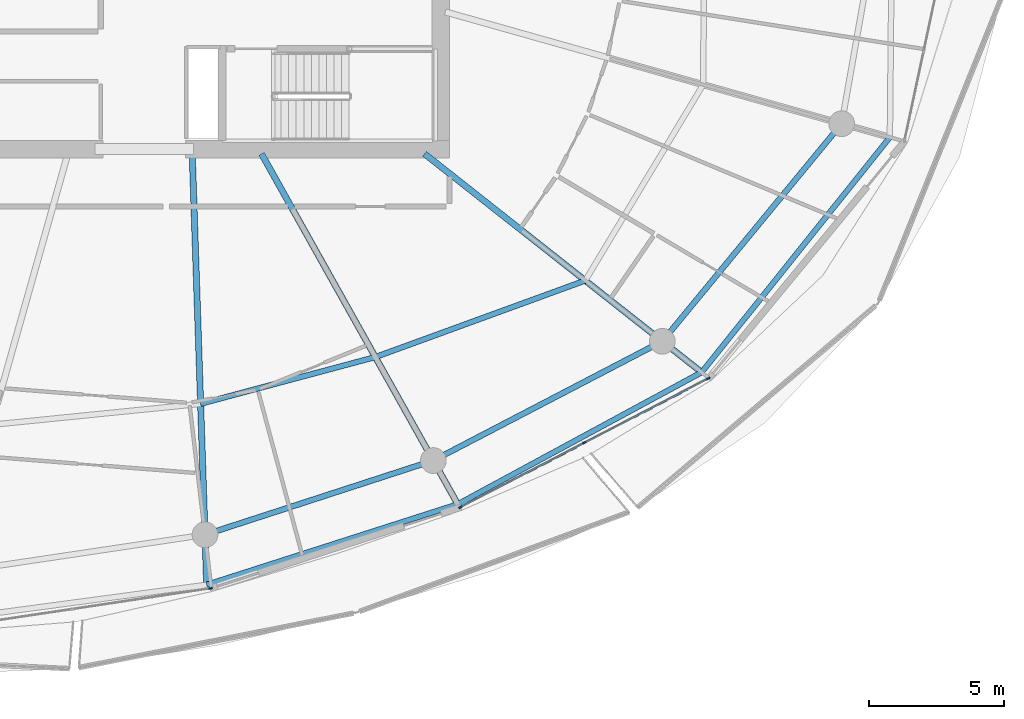
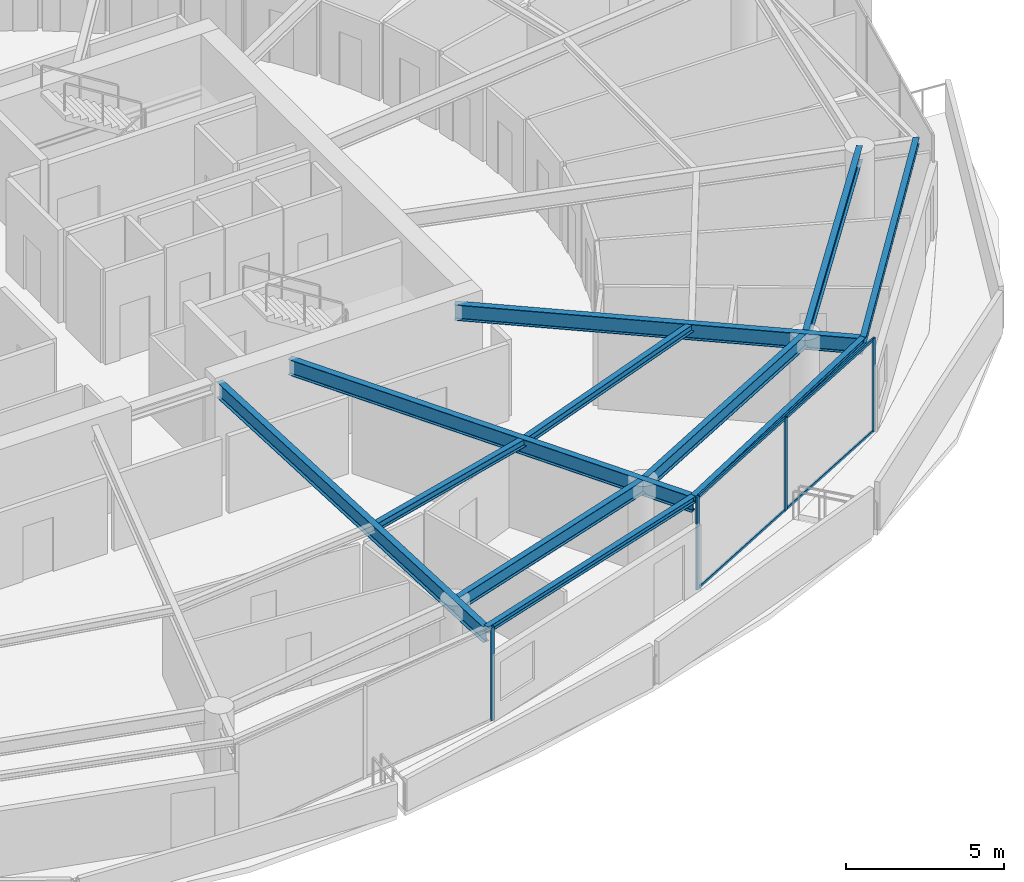
# One storey, part 8 of 30: 11 beams, 8 members, 2 elements without a shape of their own.
"""IFC4 building model written with IfcOpenShell, lengths in metres."""

from ifc_helpers import new_model, si_unit, direction, frame, origin, origin_2d, place, context, subcontext, project, spatial, rectangle, i_section, extrude, material, layer, layer_set, material_profile, profile_set, type_object, element, aggregate, save


model = new_model("IFC4")

# Units and contexts
model_context = context("Model", 3, precision=1e-05, world=origin(), true_north=direction((0.0, 1.0)))
body_context = subcontext(model_context, "Body", "Model", "MODEL_VIEW")
ifc_project = project(units=[si_unit("LENGTHUNIT", "METRE"), si_unit("AREAUNIT", "SQUARE_METRE"), si_unit("VOLUMEUNIT", "CUBIC_METRE"), si_unit("PLANEANGLEUNIT", "RADIAN"), si_unit("MASSUNIT", "GRAM", prefix="KILO")], contexts=[model_context])

# Site, building, storey
site_placement = place(None, origin())
site = spatial("IfcSite", under=ifc_project, at=site_placement, CompositionType="ELEMENT")
building_placement = place(site_placement, origin())
building = spatial("IfcBuilding", under=site, at=building_placement, Name="Kazma Halo Residences", CompositionType="ELEMENT")
storey_placement = place(building_placement, frame((0.0, 0.0, 255.949951171875)))
storey = spatial("IfcBuildingStorey", under=building, at=storey_placement, Name="L64", CompositionType="ELEMENT", Elevation=255.949951171875)

# Beams
ifc_material_1 = material(Name="Steel S355", Category="steel")
ifc_material_profile_1 = material_profile(ifc_material_1, i_section(OverallWidth=0.201904296875, OverallDepth=0.2470703125, WebThickness=0.00732421875, FlangeThickness=0.010986328125, FilletRadius=0.011962890625, at=origin_2d()), Name="W250x49.1")
ifc_profile_set_1 = profile_set([ifc_material_profile_1], Name="Steel S355")
beam_type_1 = type_object("IfcBeamType", Name="BM-BAL-CANT", PredefinedType="BEAM", material=ifc_profile_set_1)
beam_1_placement = place(storey_placement, frame((50.7333984375, 17.580078125, 3.466552734375), z_axis=(0.952215866624, 0.305425839362, 0.0), x_axis=(-0.305425839362, 0.952215866624, 0.0)))
element("IfcBeam", 1, at=beam_1_placement, inside=storey, type_object=beam_type_1, Name="L64 wave-balcony tie beam 12", PredefinedType="BEAM", context=body_context, shape_type="SweptSolid", body=[
    extrude(i_section(OverallWidth=0.201904296875, OverallDepth=0.2470703125, WebThickness=0.00732421875, FlangeThickness=0.010986328125, FilletRadius=0.011962890625, at=origin_2d()), origin(), (0.0, 0.0, 1.0), 9.74169921875),
])
beam_2_placement = place(storey_placement, frame((60.009521484375, 20.555419921875, 3.466552734375), z_axis=(0.879517282036, 0.475866946321, 0.0), x_axis=(-0.475866946321, 0.879517282036, 0.0)))
element("IfcBeam", 2, at=beam_2_placement, inside=storey, type_object=beam_type_1, Name="L64 wave-balcony tie beam 13", PredefinedType="BEAM", context=body_context, shape_type="SweptSolid", body=[
    extrude(i_section(OverallWidth=0.201904296875, OverallDepth=0.2470703125, WebThickness=0.00732421875, FlangeThickness=0.010986328125, FilletRadius=0.011962890625, at=origin_2d()), origin(), (0.0, 0.0, 1.0), 10.243408203125),
])
beam_3_placement = place(storey_placement, frame((69.018798828125, 25.429931640625, 3.466552734375), z_axis=(0.625117912406, 0.780530329705, 0.0), x_axis=(-0.780530329705, 0.625117912406, 0.0)))
element("IfcBeam", 3, at=beam_3_placement, inside=storey, type_object=beam_type_1, Name="L64 wave-balcony tie beam 14", PredefinedType="BEAM", context=body_context, shape_type="SweptSolid", body=[
    extrude(i_section(OverallWidth=0.201904296875, OverallDepth=0.2470703125, WebThickness=0.00732421875, FlangeThickness=0.010986328125, FilletRadius=0.011962890625, at=origin_2d()), origin(), (0.0, 0.0, 1.0), 11.1220703125),
])
ifc_material_profile_2 = material_profile(ifc_material_1, i_section(OverallWidth=0.22802734375, OverallDepth=0.60791015625, WebThickness=0.01123046875, FlangeThickness=0.017333984375, FilletRadius=0.01806640625, at=origin_2d()), Name="W610x113")
ifc_profile_set_2 = profile_set([ifc_material_profile_2], Name="Steel S355")
beam_type_2 = type_object("IfcBeamType", Name="BM-RAD-W610", PredefinedType="BEAM", material=ifc_profile_set_2)
beam_4_placement = place(storey_placement, frame((50.199951171875, 33.5, 3.2861328125), z_axis=(0.03348936291, -0.999439073967, 0.0), x_axis=(0.999439073967, 0.03348936291, 0.0)))
element("IfcBeam", 4, at=beam_4_placement, inside=storey, type_object=beam_type_2, Name="L64 radial floor beam 12", PredefinedType="BEAM", context=body_context, shape_type="SweptSolid", body=[
    extrude(i_section(OverallWidth=0.22802734375, OverallDepth=0.60791015625, WebThickness=0.01123046875, FlangeThickness=0.017333984375, FilletRadius=0.01806640625, at=origin_2d()), origin(), (0.0, 0.0, 1.0), 15.928955078125),
])
beam_5_placement = place(storey_placement, frame((52.76025390625, 33.5, 3.2861328125), z_axis=(0.488618902548, -0.872497316943, 0.0), x_axis=(0.872497316943, 0.488618902548, 0.0)))
element("IfcBeam", 5, at=beam_5_placement, inside=storey, type_object=beam_type_2, Name="L64 radial floor beam 13", PredefinedType="BEAM", context=body_context, shape_type="SweptSolid", body=[
    extrude(i_section(OverallWidth=0.22802734375, OverallDepth=0.60791015625, WebThickness=0.01123046875, FlangeThickness=0.017333984375, FilletRadius=0.01806640625, at=origin_2d()), origin(), (0.0, 0.0, 1.0), 14.836181640625),
])
beam_6_placement = place(storey_placement, frame((58.7822265625, 33.5, 3.2861328125), z_axis=(0.785309266897, -0.619103670903, 0.0), x_axis=(0.619103670903, 0.785309266897, 0.0)))
element("IfcBeam", 6, at=beam_6_placement, inside=storey, type_object=beam_type_2, Name="L64 radial floor beam 14", PredefinedType="BEAM", context=body_context, shape_type="SweptSolid", body=[
    extrude(i_section(OverallWidth=0.22802734375, OverallDepth=0.60791015625, WebThickness=0.01123046875, FlangeThickness=0.017333984375, FilletRadius=0.01806640625, at=origin_2d()), origin(), (0.0, 0.0, 1.0), 13.03515625),
])
ifc_material_profile_3 = material_profile(ifc_material_1, i_section(OverallWidth=0.202880859375, OverallDepth=0.302978515625, WebThickness=0.007568359375, FlangeThickness=0.01318359375, FilletRadius=0.013916015625, at=origin_2d()), Name="W310x60")
ifc_profile_set_3 = profile_set([ifc_material_profile_3], Name="Steel S355")
beam_type_3 = type_object("IfcBeamType", Name="BM-SEC-W310A", PredefinedType="JOIST", material=ifc_profile_set_3)
beam_7_placement = place(storey_placement, frame((50.50927734375, 24.2666015625, 3.4384765625), z_axis=(0.966079519115, 0.258244772932, 0.0), x_axis=(-0.258244772932, 0.966079519115, 0.0)))
element("IfcBeam", 7, at=beam_7_placement, inside=storey, type_object=beam_type_3, Name="L64 circumferential floor joist 12", PredefinedType="JOIST", context=body_context, shape_type="SweptSolid", body=[
    extrude(i_section(OverallWidth=0.202880859375, OverallDepth=0.302978515625, WebThickness=0.007568359375, FlangeThickness=0.01318359375, FilletRadius=0.013916015625, at=origin_2d()), origin(), (0.0, 0.0, 1.0), 6.681884765625),
])
beam_8_placement = place(storey_placement, frame((56.964599609375, 25.9921875, 3.4384765625), z_axis=(0.93951330561, 0.342512406465, 0.0), x_axis=(-0.342512406465, 0.93951330561, 0.0)))
element("IfcBeam", 8, at=beam_8_placement, inside=storey, type_object=beam_type_3, Name="L64 circumferential floor joist 13", PredefinedType="JOIST", context=body_context, shape_type="SweptSolid", body=[
    extrude(i_section(OverallWidth=0.202880859375, OverallDepth=0.302978515625, WebThickness=0.007568359375, FlangeThickness=0.01318359375, FilletRadius=0.013916015625, at=origin_2d()), origin(), (0.0, 0.0, 1.0), 8.254150390625),
])
ifc_material_profile_4 = material_profile(ifc_material_1, i_section(OverallWidth=0.208984375, OverallDepth=0.532958984375, WebThickness=0.01025390625, FlangeThickness=0.015625, FilletRadius=0.01611328125, at=origin_2d()), Name="W530x92")
ifc_profile_set_4 = profile_set([ifc_material_profile_4], Name="Steel S355")
beam_type_4 = type_object("IfcBeamType", Name="BM-SPN-W530", PredefinedType="BEAM", material=ifc_profile_set_4)
beam_9_placement = place(storey_placement, frame((50.67138671875, 19.42919921875, 3.323486328125), z_axis=(0.951053893407, 0.309025066679, 0.0), x_axis=(-0.309025066679, 0.951053893407, 0.0)))
element("IfcBeam", 9, at=beam_9_placement, inside=storey, type_object=beam_type_4, Name="L64 perimeter ring beam 12", PredefinedType="BEAM", context=body_context, shape_type="SweptSolid", body=[
    extrude(i_section(OverallWidth=0.208984375, OverallDepth=0.532958984375, WebThickness=0.01025390625, FlangeThickness=0.015625, FilletRadius=0.01611328125, at=origin_2d()), origin(), (0.0, 0.0, 1.0), 8.8681640625),
])
beam_10_placement = place(storey_placement, frame((59.10546875, 22.169677734375, 3.323486328125), z_axis=(0.886961047115, 0.461844238788, 0.0), x_axis=(-0.461844238788, 0.886961047115, 0.0)))
element("IfcBeam", 10, at=beam_10_placement, inside=storey, type_object=beam_type_4, Name="L64 perimeter ring beam 13", PredefinedType="BEAM", context=body_context, shape_type="SweptSolid", body=[
    extrude(i_section(OverallWidth=0.208984375, OverallDepth=0.532958984375, WebThickness=0.01025390625, FlangeThickness=0.015625, FilletRadius=0.01611328125, at=origin_2d()), origin(), (0.0, 0.0, 1.0), 9.5390625),
])
beam_11_placement = place(storey_placement, frame((67.566162109375, 26.5751953125, 3.323486328125), z_axis=(0.636002144225, 0.771687289348, 0.0), x_axis=(-0.771687289348, 0.636002144225, 0.0)))
element("IfcBeam", 11, at=beam_11_placement, inside=storey, type_object=beam_type_4, Name="L64 perimeter ring beam 14", PredefinedType="BEAM", context=body_context, shape_type="SweptSolid", body=[
    extrude(i_section(OverallWidth=0.208984375, OverallDepth=0.532958984375, WebThickness=0.01025390625, FlangeThickness=0.015625, FilletRadius=0.01611328125, at=origin_2d()), origin(), (0.0, 0.0, 1.0), 10.416259765625),
])

# Curtain wall, member
ifc_material_2 = material(Name="Aluminium AW-6063 T6 and Triple-Silver Low-E Glass", Category="aluminium")
ifc_layer = layer(ifc_material_2, 0.139892578125)
ifc_layer_set = layer_set([ifc_layer], Name="Aluminium AW-6063 T6 and Triple-Silver Low-E Glass")
curtain_wall_type = type_object("IfcCurtainWallType", Name="CW-SYS-5", PredefinedType="NOTDEFINED", material=ifc_layer_set)
curtain_wall_1_placement = place(storey_placement, origin())
curtain_wall_1 = element("IfcCurtainWall", 12, at=curtain_wall_1_placement, inside=storey, type_object=curtain_wall_type, Name="L64 unitised curtain wall B11", PredefinedType="NOTDEFINED")
ifc_material_3 = material(Name="Aluminium AW-6063 T6", Category="aluminium")
ifc_material_profile_5 = material_profile(ifc_material_3, rectangle(XDim=0.06005859375, YDim=0.139892578125, at=origin_2d()), Name="CWM-60x140")
ifc_profile_set_5 = profile_set([ifc_material_profile_5], Name="Aluminium AW-6063 T6")
member_type_1 = type_object("IfcMemberType", Name="CW-SYS-5-MUL", PredefinedType="MULLION", material=ifc_profile_set_5)
member_1_placement = place(storey_placement, frame((50.875732421875, 17.447265625, 0.0), z_axis=(0.0, 0.0, 1.0), x_axis=(-0.148697080374, 0.988882792998, 0.0)))
member_1 = element("IfcMember", 13, at=member_1_placement, type_object=member_type_1, Name="CWS-5 mullion 3", PredefinedType="MULLION", context=body_context, shape_type="SweptSolid", body=[
    extrude(rectangle(XDim=0.06005859375, YDim=0.139892578125, at=origin_2d()), origin(), (0.0, 0.0, 1.0), 3.590087890625),
])
aggregate(curtain_wall_1, [member_1])

# Curtain wall, members
curtain_wall_2_placement = place(storey_placement, origin())
curtain_wall_2 = element("IfcCurtainWall", 14, at=curtain_wall_2_placement, inside=storey, type_object=curtain_wall_type, Name="L64 unitised curtain wall B13", PredefinedType="NOTDEFINED")
member_2_placement = place(storey_placement, frame((60.105224609375, 20.446044921875, 0.0), z_axis=(0.0, 0.0, 1.0), x_axis=(-0.460960760804, 0.887420518694, 0.0)))
member_2 = element("IfcMember", 15, at=member_2_placement, type_object=member_type_1, Name="CWS-5 mullion 1", PredefinedType="MULLION", context=body_context, shape_type="SweptSolid", body=[
    extrude(rectangle(XDim=0.06005859375, YDim=0.139892578125, at=origin_2d()), origin(), (0.0, 0.0, 1.0), 3.590087890625),
])
member_3_placement = place(storey_placement, frame((64.68408203125, 22.824462890625, 0.0), z_axis=(0.0, 0.0, 1.0), x_axis=(-0.460960760804, 0.887420518694, 0.0)))
member_3 = element("IfcMember", 16, at=member_3_placement, type_object=member_type_1, Name="CWS-5 mullion 2", PredefinedType="MULLION", context=body_context, shape_type="SweptSolid", body=[
    extrude(rectangle(XDim=0.06005859375, YDim=0.139892578125, at=origin_2d()), origin(), (0.0, 0.0, 1.0), 3.590087890625),
])
member_4_placement = place(storey_placement, frame((69.262939453125, 25.202880859375, 0.0), z_axis=(0.0, 0.0, 1.0), x_axis=(-0.460960760804, 0.887420518694, 0.0)))
member_4 = element("IfcMember", 17, at=member_4_placement, type_object=member_type_1, Name="CWS-5 mullion 3", PredefinedType="MULLION", context=body_context, shape_type="SweptSolid", body=[
    extrude(rectangle(XDim=0.06005859375, YDim=0.139892578125, at=origin_2d()), origin(), (0.0, 0.0, 1.0), 3.590087890625),
])
ifc_material_profile_6 = material_profile(ifc_material_3, rectangle(XDim=0.06005859375, YDim=0.10498046875, at=origin_2d()), Name="CWT-60x105")
ifc_profile_set_6 = profile_set([ifc_material_profile_6], Name="Aluminium AW-6063 T6")
member_type_2 = type_object("IfcMemberType", Name="CW-SYS-5-TRN", PredefinedType="USERDEFINED", material=ifc_profile_set_6)
member_5_placement = place(storey_placement, frame((60.1318359375, 20.4599609375, 0.030029296875), z_axis=(0.887436955863, 0.46092911534, 0.0), x_axis=(-0.46092911534, 0.887436955863, 0.0)))
member_5 = element("IfcMember", 18, at=member_5_placement, type_object=member_type_2, Name="CWS-5 transom 1.1", ObjectType="TRANSOM", PredefinedType="USERDEFINED", context=body_context, shape_type="SweptSolid", body=[
    extrude(rectangle(XDim=0.06005859375, YDim=0.10498046875, at=origin_2d()), origin(), (0.0, 0.0, 1.0), 5.099609375),
])
member_6_placement = place(storey_placement, frame((60.1318359375, 20.4599609375, 3.56005859375), z_axis=(0.887436955863, 0.46092911534, 0.0), x_axis=(-0.46092911534, 0.887436955863, 0.0)))
member_6 = element("IfcMember", 19, at=member_6_placement, type_object=member_type_2, Name="CWS-5 transom 1.2", ObjectType="TRANSOM", PredefinedType="USERDEFINED", context=body_context, shape_type="SweptSolid", body=[
    extrude(rectangle(XDim=0.06005859375, YDim=0.10498046875, at=origin_2d()), origin(), (0.0, 0.0, 1.0), 5.099609375),
])
member_7_placement = place(storey_placement, frame((64.710693359375, 22.83837890625, 0.030029296875), z_axis=(0.887436955863, 0.46092911534, 0.0), x_axis=(-0.46092911534, 0.887436955863, 0.0)))
member_7 = element("IfcMember", 20, at=member_7_placement, type_object=member_type_2, Name="CWS-5 transom 2.1", ObjectType="TRANSOM", PredefinedType="USERDEFINED", context=body_context, shape_type="SweptSolid", body=[
    extrude(rectangle(XDim=0.06005859375, YDim=0.10498046875, at=origin_2d()), origin(), (0.0, 0.0, 1.0), 5.099609375),
])
member_8_placement = place(storey_placement, frame((64.710693359375, 22.83837890625, 3.56005859375), z_axis=(0.887436955863, 0.46092911534, 0.0), x_axis=(-0.46092911534, 0.887436955863, 0.0)))
member_8 = element("IfcMember", 21, at=member_8_placement, type_object=member_type_2, Name="CWS-5 transom 2.2", ObjectType="TRANSOM", PredefinedType="USERDEFINED", context=body_context, shape_type="SweptSolid", body=[
    extrude(rectangle(XDim=0.06005859375, YDim=0.10498046875, at=origin_2d()), origin(), (0.0, 0.0, 1.0), 5.099609375),
])
aggregate(curtain_wall_2, [member_2, member_3, member_4, member_5, member_6, member_7, member_8])

save(model, "model.ifc")
